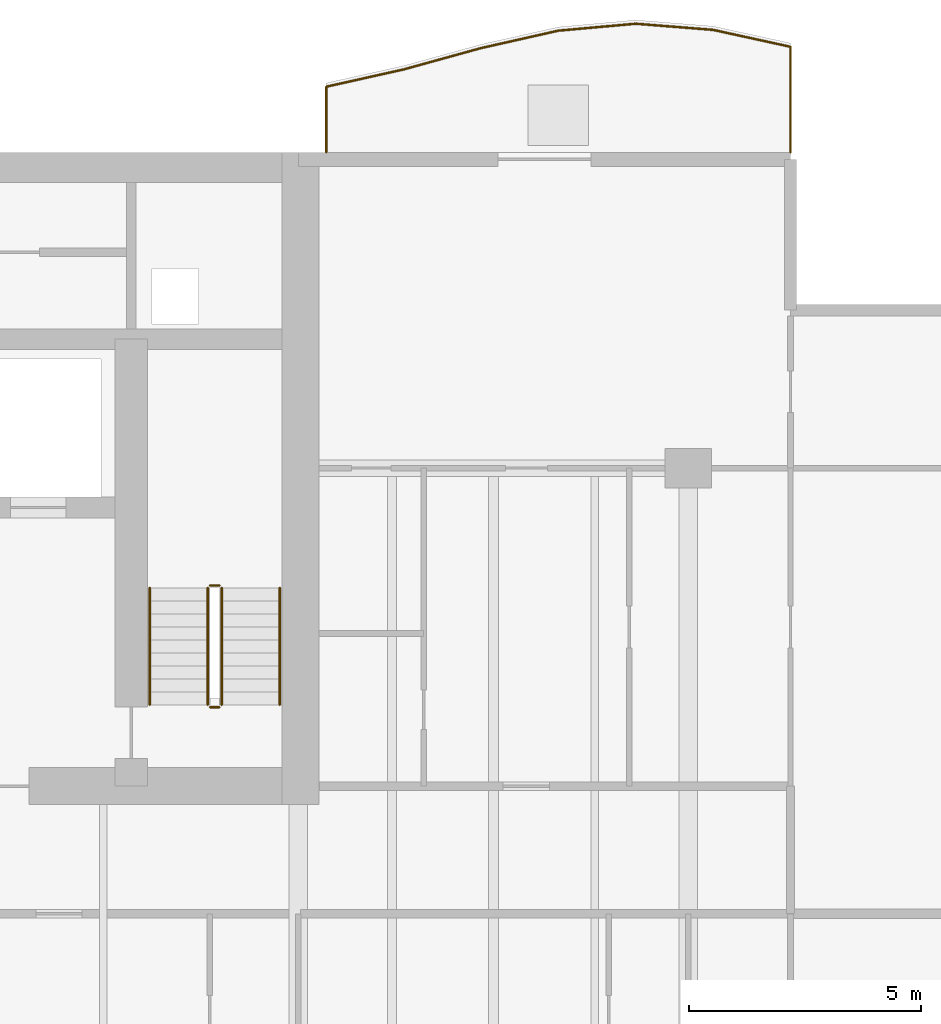
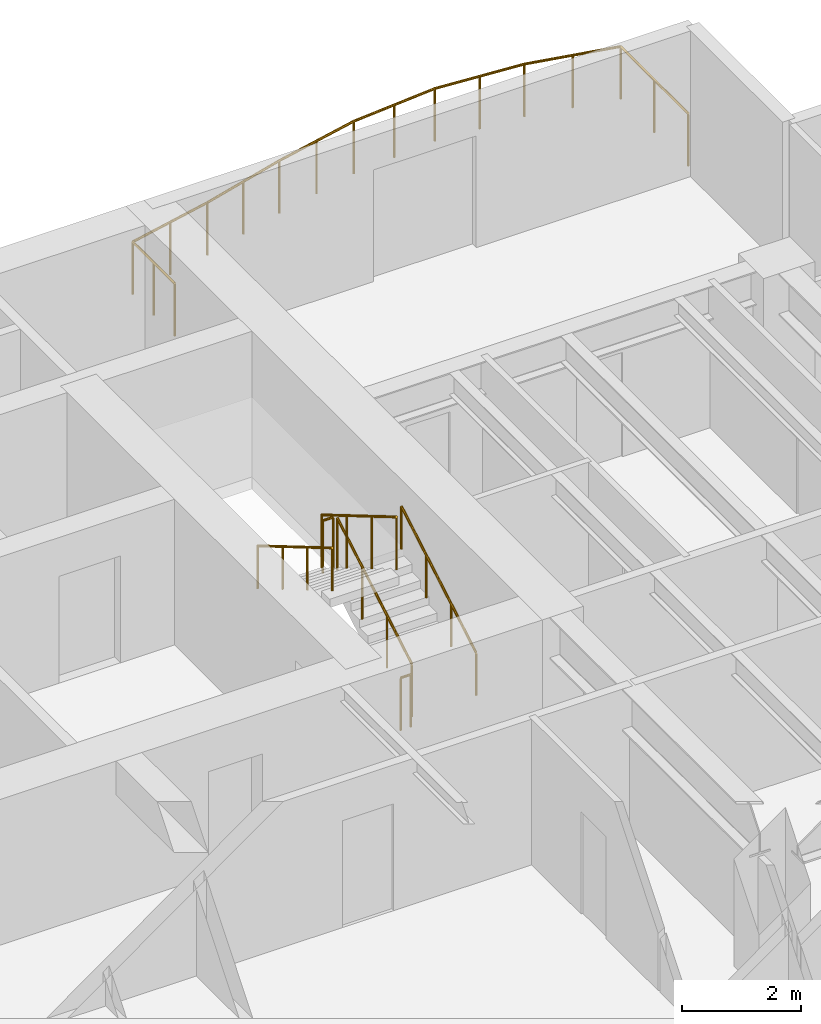
# One storey, part 15 of 16: 7 railings.
"""IFC4 building model written with IfcOpenShell, lengths in metres."""

import ifcopenshell
import ifcopenshell.guid

model = None  # the IFC model being written
_history = None  # IfcOwnerHistory: only IFC2X3 demands one
_inside = {}  # id of a spatial element -> (the spatial element, [elements in it])
_under = {}  # id of a project, library or spatial element -> (it, [spatial elements below it])
_declared = {}  # id of a project -> (the project, [libraries it declares])
_typed = {}  # id of a type object -> (the type object, [elements of that type])
_made_of = {}  # id of a material, layer set ... -> (it, [elements and type objects made of it])


def new_model(schema):
    """Start an empty IFC model of exactly this schema.

    Asked for "IFC4X3", IfcOpenShell would pick the latest addendum, in which some entities
    have other attributes; the version numbers below select the first issue.
    IFC2X3 requires an IfcOwnerHistory on every rooted entity: one is made here for all.
    """
    global model, _history
    if schema == "IFC4X3":
        model = ifcopenshell.file(schema_version=(4, 3, 0, 0))
    else:
        model = ifcopenshell.file(schema=schema)
    _inside.clear()
    _under.clear()
    _declared.clear()
    _typed.clear()
    _made_of.clear()
    _history = None
    if model.schema == "IFC2X3":
        org = make("IfcOrganization", Name="unknown")
        user = make(
            "IfcPersonAndOrganization",
            ThePerson=make("IfcPerson", FamilyName="unknown"),
            TheOrganization=org,
        )
        app = make(
            "IfcApplication",
            ApplicationDeveloper=org,
            Version="unknown",
            ApplicationFullName="unknown",
            ApplicationIdentifier="unknown",
        )
        _history = make(
            "IfcOwnerHistory",
            OwningUser=user,
            OwningApplication=app,
            ChangeAction="ADDED",
            CreationDate=0,
        )
    return model


def make(cls, **values):
    """One entity of the class cls with the attributes given. An attribute that is None is left unset."""
    return model.create_entity(
        cls, **{name: value for name, value in values.items() if value is not None}
    )


def rooted(cls, **values):
    """An entity with a GlobalId (a new one), such as an element, a storey or a relation."""
    return make(cls, GlobalId=ifcopenshell.guid.new(), OwnerHistory=_history, **values)


def si_unit(unit_type, name, prefix=None):
    """IfcSIUnit, for example si_unit("LENGTHUNIT", "METRE", prefix="MILLI")."""
    return make("IfcSIUnit", UnitType=unit_type, Prefix=prefix, Name=name)


def assignment(units):
    """IfcUnitAssignment: the units of a project."""
    return None if units is None else make("IfcUnitAssignment", Units=units)


def point(xyz):
    """IfcCartesianPoint."""
    return None if xyz is None else make("IfcCartesianPoint", Coordinates=xyz)


def direction(xyz):
    """IfcDirection."""
    return None if xyz is None else make("IfcDirection", DirectionRatios=xyz)


def frame(location, z_axis=None, x_axis=None):
    """IfcAxis2Placement3D, a coordinate frame: its origin and axes. An axis left out is left unset."""
    return make(
        "IfcAxis2Placement3D",
        Location=point(location),
        Axis=direction(z_axis),
        RefDirection=direction(x_axis),
    )


def frame_2d(location, x_axis=None):
    """IfcAxis2Placement2D, a coordinate frame in the plane: its origin and x axis."""
    return make(
        "IfcAxis2Placement2D", Location=point(location), RefDirection=direction(x_axis)
    )


def origin():
    """The frame at (0, 0, 0) with its axes left unset."""
    return frame((0.0, 0.0, 0.0))


def origin_2d():
    """The frame at (0, 0) in the plane with its x axis left unset."""
    return frame_2d((0.0, 0.0))


def place(relative_to, where):
    """IfcLocalPlacement: puts the frame where relative to a parent placement (None: the world)."""
    return make(
        "IfcLocalPlacement", PlacementRelTo=relative_to, RelativePlacement=where
    )


def context(
    kind, dimensions, precision=None, world=None, true_north=None, identifier=None
):
    """IfcGeometricRepresentationContext, for example the 3D "Model" context."""
    return make(
        "IfcGeometricRepresentationContext",
        ContextIdentifier=identifier,
        ContextType=kind,
        CoordinateSpaceDimension=dimensions,
        Precision=precision,
        WorldCoordinateSystem=world,
        TrueNorth=true_north,
    )


def subcontext(parent, identifier, kind, view, scale=None):
    """IfcGeometricRepresentationSubContext, for example "Body" below "Model"."""
    return make(
        "IfcGeometricRepresentationSubContext",
        ContextIdentifier=identifier,
        ContextType=kind,
        ParentContext=parent,
        TargetScale=scale,
        TargetView=view,
    )


def project(units=None, contexts=None):
    """IfcProject with its units and contexts."""
    return rooted(
        "IfcProject",
        Name="project",
        RepresentationContexts=contexts,
        UnitsInContext=assignment(units),
    )


def spatial(cls, under=None, at=None, **own):
    """A site, building, storey or space (cls), placed at a placement, below another one or the project."""
    s = rooted(cls, ObjectPlacement=at, **own)
    if under is not None:
        _under.setdefault(under.id(), (under, []))[1].append(s)
    return s


def profile(cls, at=None, kind="AREA", **sizes):
    """A parametric profile (cls). Its sizes go by their IFC names, for example OverallWidth=200.0."""
    return make(cls, ProfileType=kind, Position=at, **sizes)


def circle(**sizes):
    """IfcCircleProfileDef."""
    return profile("IfcCircleProfileDef", **sizes)


def extrude(swept, where, along, depth):
    """IfcExtrudedAreaSolid: the profile swept, set in the frame where, extruded along a direction by depth."""
    return make(
        "IfcExtrudedAreaSolid",
        SweptArea=swept,
        Position=where,
        ExtrudedDirection=direction(along),
        Depth=depth,
    )


def shape(context_of_items, identifier, shape_type, items):
    """IfcShapeRepresentation: the items that make up one representation, for example the "Body"."""
    return make(
        "IfcShapeRepresentation",
        ContextOfItems=context_of_items,
        RepresentationIdentifier=identifier,
        RepresentationType=shape_type,
        Items=items,
    )


def material(Name=None, Category=None):
    """IfcMaterial."""
    return make("IfcMaterial", Name=Name, Category=Category)


def made_of(thing, what):
    """Note that an element or type object is made of a material, layer set ...; save() writes the relation."""
    if what is not None:
        _made_of.setdefault(what.id(), (what, []))[1].append(thing)
    return thing


def type_object(cls, material=None, **own):
    """A type object (cls), such as IfcWallType, which elements share."""
    return made_of(rooted(cls, **own), material)


def element(
    cls,
    number,
    at=None,
    inside=None,
    cuts=None,
    type_object=None,
    material=None,
    context=None,
    identifier="Body",
    shape_type=None,
    held_by="IfcProductDefinitionShape",
    body=None,
    shapes=None,
    **own,
):
    """One element of the class cls, such as IfcWall. Its Tag is "e" and its number.

    at: its placement. inside: the storey or other place that contains it. cuts: it is an
    opening in that element (IfcRelVoidsElement). A single representation is given by context,
    identifier, shape_type and body (its items); several are given by shapes. held_by: the class
    of the entity that holds the representations. save() writes the other relations.
    """
    e = rooted(cls, Tag="e%d" % number, ObjectPlacement=at, **own)
    if body is not None:
        shapes = [shape(context, identifier, shape_type, body)]
    if shapes is not None:
        e.Representation = make(held_by, Representations=shapes)
    if inside is not None:
        _inside.setdefault(inside.id(), (inside, []))[1].append(e)
    if cuts is not None:
        rooted(
            "IfcRelVoidsElement", RelatingBuildingElement=cuts, RelatedOpeningElement=e
        )
    if type_object is not None:
        _typed.setdefault(type_object.id(), (type_object, []))[1].append(e)
    return made_of(e, material)


def aggregate(whole, parts):
    """IfcRelAggregates: a whole, such as a stair, and the parts it consists of."""
    return rooted("IfcRelAggregates", RelatingObject=whole, RelatedObjects=parts)


def save(model, path):
    """Write the relations noted so far, then the file.

    IfcRelAggregates (storeys below a building ...), IfcRelContainedInSpatialStructure (elements
    in a storey), IfcRelDefinesByType, IfcRelAssociatesMaterial and IfcRelDeclares: one each for
    every whole, place, type object, material and project.
    """
    for whole, parts in _under.values():
        aggregate(whole, parts)
    for where, things in _inside.values():
        rooted(
            "IfcRelContainedInSpatialStructure",
            RelatedElements=things,
            RelatingStructure=where,
        )
    for kind, things in _typed.values():
        rooted("IfcRelDefinesByType", RelatedObjects=things, RelatingType=kind)
    for what, things in _made_of.values():
        rooted("IfcRelAssociatesMaterial", RelatedObjects=things, RelatingMaterial=what)
    for by, libraries in _declared.values():
        rooted("IfcRelDeclares", RelatingContext=by, RelatedDefinitions=libraries)
    model.write(path)


model = new_model("IFC4")

# Units and contexts
model_context = context("Model", 3, precision=1e-05, world=origin(), true_north=direction((0.0, 1.0)))
body_context = subcontext(model_context, "Body", "Model", "MODEL_VIEW")
ifc_project = project(units=[si_unit("LENGTHUNIT", "METRE"), si_unit("AREAUNIT", "SQUARE_METRE"), si_unit("VOLUMEUNIT", "CUBIC_METRE"), si_unit("PLANEANGLEUNIT", "RADIAN"), si_unit("MASSUNIT", "GRAM", prefix="KILO")], contexts=[model_context])

# Site, building, storey
site_placement = place(None, origin())
site = spatial("IfcSite", under=ifc_project, at=site_placement, CompositionType="ELEMENT")
building_placement = place(site_placement, origin())
building = spatial("IfcBuilding", under=site, at=building_placement, Name="Caelmar Bay Residences", CompositionType="ELEMENT")
storey_placement = place(building_placement, frame((0.0, 0.0, 148.800048828125)))
storey = spatial("IfcBuildingStorey", under=building, at=storey_placement, Name="L41", CompositionType="ELEMENT", Elevation=148.800048828125)

# Railings
ifc_material_1 = material(Name="Anodised bronze handrail with laminated hurricane glass infill", Category="glass")
railing_type_1 = type_object("IfcRailingType", Name="RL-BAL-1100", PredefinedType="BALUSTRADE", material=ifc_material_1)
railing_1_placement = place(storey_placement, frame((70.10009765625, 50.60009765625, 0.0)))
element("IfcRailing", 1, at=railing_1_placement, inside=storey, type_object=railing_type_1, Name="L41 north_east Balcony Balustrade", PredefinedType="BALUSTRADE", context=body_context, shape_type="SweptSolid", body=[
    extrude(circle(Radius=0.02392578125, at=origin_2d()), frame((0.0, 0.0, 1.076171875), z_axis=(0.0, 1.0, 0.0), x_axis=(-1.0, 0.0, 0.0)), (0.0, 0.0, 1.0), 2.27294921875),
    extrude(circle(Radius=0.02392578125, at=origin_2d()), frame((0.0, 2.27294921875, 1.076171875), z_axis=(-0.976912151589, 0.213641400663, 0.0), x_axis=(-0.213641400663, -0.976912151589, 0.0)), (0.0, 0.0, 1.0), 1.7060546875),
    extrude(circle(Radius=0.02392578125, at=origin_2d()), frame((-1.666748046875, 2.637451171875, 1.076171875), z_axis=(-0.996863381494, 0.079141636556, 0.0), x_axis=(-0.079141636556, -0.996863381494, 0.0)), (0.0, 0.0, 1.0), 1.671875),
    extrude(circle(Radius=0.02392578125, at=origin_2d()), frame((-3.33349609375, 2.769775390625, 1.076171875), z_axis=(-0.995991875495, -0.089443747389, 0.0), x_axis=(0.089443747389, -0.995991875495, 0.0)), (0.0, 0.0, 1.0), 1.673095703125),
    extrude(circle(Radius=0.02392578125, at=origin_2d()), frame((-5.0, 2.6201171875, 1.076171875), z_axis=(-0.975520165928, -0.219909994926, 0.0), x_axis=(0.219909994926, -0.975520165928, 0.0)), (0.0, 0.0, 1.0), 1.70849609375),
    extrude(circle(Radius=0.02392578125, at=origin_2d()), frame((-6.666748046875, 2.244384765625, 1.076171875), z_axis=(-0.964003851304, -0.265888274792, 0.0), x_axis=(0.265888274792, -0.964003851304, 0.0)), (0.0, 0.0, 1.0), 1.72900390625),
    extrude(circle(Radius=0.02392578125, at=origin_2d()), frame((-8.33349609375, 1.78466796875, 1.076171875), z_axis=(-0.976032048917, -0.217626835402, 0.0), x_axis=(0.217626835402, -0.976032048917, 0.0)), (0.0, 0.0, 1.0), 1.70751953125),
    extrude(circle(Radius=0.02392578125, at=origin_2d()), frame((-10.0, 1.4130859375, 1.076171875), z_axis=(0.0, -1.0, 0.0), x_axis=(1.0, 0.0, 0.0)), (0.0, 0.0, 1.0), 1.4130859375),
    extrude(circle(Radius=0.02099609375, at=origin_2d()), origin(), (0.0, 0.0, 1.0), 1.052001953125),
    extrude(circle(Radius=0.02099609375, at=origin_2d()), frame((0.0, 1.136474609375, 0.0)), (0.0, 0.0, 1.0), 1.052001953125),
    extrude(circle(Radius=0.02099609375, at=origin_2d()), frame((0.0, 2.27294921875, 0.0)), (0.0, 0.0, 1.0), 1.052001953125),
    extrude(circle(Radius=0.02099609375, at=origin_2d()), frame((-0.83349609375, 2.455078125, 0.0)), (0.0, 0.0, 1.0), 1.052001953125),
    extrude(circle(Radius=0.02099609375, at=origin_2d()), frame((-1.666748046875, 2.637451171875, 0.0)), (0.0, 0.0, 1.0), 1.052001953125),
    extrude(circle(Radius=0.02099609375, at=origin_2d()), frame((-2.5, 2.70361328125, 0.0)), (0.0, 0.0, 1.0), 1.052001953125),
    extrude(circle(Radius=0.02099609375, at=origin_2d()), frame((-3.33349609375, 2.769775390625, 0.0)), (0.0, 0.0, 1.0), 1.052001953125),
    extrude(circle(Radius=0.02099609375, at=origin_2d()), frame((-4.166748046875, 2.69482421875, 0.0)), (0.0, 0.0, 1.0), 1.052001953125),
    extrude(circle(Radius=0.02099609375, at=origin_2d()), frame((-5.0, 2.6201171875, 0.0)), (0.0, 0.0, 1.0), 1.052001953125),
    extrude(circle(Radius=0.02099609375, at=origin_2d()), frame((-5.83349609375, 2.43212890625, 0.0)), (0.0, 0.0, 1.0), 1.052001953125),
    extrude(circle(Radius=0.02099609375, at=origin_2d()), frame((-6.666748046875, 2.244384765625, 0.0)), (0.0, 0.0, 1.0), 1.052001953125),
    extrude(circle(Radius=0.02099609375, at=origin_2d()), frame((-7.5, 2.0146484375, 0.0)), (0.0, 0.0, 1.0), 1.052001953125),
    extrude(circle(Radius=0.02099609375, at=origin_2d()), frame((-8.33349609375, 1.78466796875, 0.0)), (0.0, 0.0, 1.0), 1.052001953125),
    extrude(circle(Radius=0.02099609375, at=origin_2d()), frame((-9.166748046875, 1.598876953125, 0.0)), (0.0, 0.0, 1.0), 1.052001953125),
    extrude(circle(Radius=0.02099609375, at=origin_2d()), frame((-10.0, 1.4130859375, 0.0)), (0.0, 0.0, 1.0), 1.052001953125),
    extrude(circle(Radius=0.02099609375, at=origin_2d()), frame((-10.0, 0.70654296875, 0.0)), (0.0, 0.0, 1.0), 1.052001953125),
    extrude(circle(Radius=0.02099609375, at=origin_2d()), frame((-10.0, 0.0, 0.0)), (0.0, 0.0, 1.0), 1.052001953125),
])
ifc_material_2 = material(Name="Painted galvanized steel stair guard 1100 mm", Category="steel")
railing_type_2 = type_object("IfcRailingType", Name="RL-GRD-1100", PredefinedType="GUARDRAIL", material=ifc_material_2)
railing_2_placement = place(storey_placement, frame((57.85009765625, 38.699951171875, 0.1650390625)))
element("IfcRailing", 2, at=railing_2_placement, inside=storey, type_object=railing_type_2, Name="L41 ST2 stair guard 1", PredefinedType="GUARDRAIL", context=body_context, shape_type="SweptSolid", body=[
    extrude(circle(Radius=0.02392578125, at=origin_2d()), frame((0.0, 0.0, 1.076171875), z_axis=(0.0, 0.861560626758, 0.507654692109), x_axis=(-1.0, 0.0, 0.0)), (0.0, 0.0, 1.0), 2.925048828125),
    extrude(circle(Radius=0.02099609375, at=origin_2d()), origin(), (0.0, 0.0, 1.0), 1.052001953125),
    extrude(circle(Radius=0.02099609375, at=origin_2d()), frame((0.0, 0.840087890625, 0.494873046875)), (0.0, 0.0, 1.0), 1.052001953125),
    extrude(circle(Radius=0.02099609375, at=origin_2d()), frame((0.0, 1.679931640625, 0.989990234375)), (0.0, 0.0, 1.0), 1.052001953125),
    extrude(circle(Radius=0.02099609375, at=origin_2d()), frame((0.0, 2.52001953125, 1.48486328125)), (0.0, 0.0, 1.0), 1.052001953125),
])
railing_3_placement = place(storey_placement, frame((57.800048828125, 41.27001953125, 1.64990234375)))
element("IfcRailing", 3, at=railing_3_placement, inside=storey, type_object=railing_type_2, Name="L41 ST2 stair guard 2", PredefinedType="GUARDRAIL", context=body_context, shape_type="SweptSolid", body=[
    extrude(circle(Radius=0.02392578125, at=origin_2d()), frame((0.0, 0.0, 1.076171875), z_axis=(-1.0, 0.0, 0.0), x_axis=(0.0, -1.0, 0.0)), (0.0, 0.0, 1.0), 0.199951171875),
    extrude(circle(Radius=0.02099609375, at=origin_2d()), origin(), (0.0, 0.0, 1.0), 1.052001953125),
    extrude(circle(Radius=0.02099609375, at=origin_2d()), frame((-0.199951171875, 0.0, 0.0)), (0.0, 0.0, 1.0), 1.052001953125),
])
railing_4_placement = place(storey_placement, frame((57.550048828125, 41.219970703125, 1.81494140625)))
element("IfcRailing", 4, at=railing_4_placement, inside=storey, type_object=railing_type_2, Name="L41 ST2 stair guard 3", PredefinedType="GUARDRAIL", context=body_context, shape_type="SweptSolid", body=[
    extrude(circle(Radius=0.02392578125, at=origin_2d()), frame((0.0, 0.0, 1.076171875), z_axis=(0.0, -0.86152411907, 0.507716645641), x_axis=(1.0, 0.0, 0.0)), (0.0, 0.0, 1.0), 2.925048828125),
    extrude(circle(Radius=0.02099609375, at=origin_2d()), origin(), (0.0, 0.0, 1.0), 1.052001953125),
    extrude(circle(Radius=0.02099609375, at=origin_2d()), frame((0.0, -0.840087890625, 0.4951171875)), (0.0, 0.0, 1.0), 1.052001953125),
    extrude(circle(Radius=0.02099609375, at=origin_2d()), frame((0.0, -1.679931640625, 0.989990234375)), (0.0, 0.0, 1.0), 1.052001953125),
    extrude(circle(Radius=0.02099609375, at=origin_2d()), frame((0.0, -2.52001953125, 1.485107421875)), (0.0, 0.0, 1.0), 1.052001953125),
])
railing_5_placement = place(storey_placement, frame((57.800048828125, 38.64990234375, 0.0)))
element("IfcRailing", 5, at=railing_5_placement, inside=storey, type_object=railing_type_2, Name="L41 ST2 stair guard 4", PredefinedType="GUARDRAIL", context=body_context, shape_type="SweptSolid", body=[
    extrude(circle(Radius=0.02392578125, at=origin_2d()), frame((0.0, 0.0, 1.076171875), z_axis=(-1.0, 0.0, 0.0), x_axis=(0.0, -1.0, 0.0)), (0.0, 0.0, 1.0), 0.199951171875),
    extrude(circle(Radius=0.02099609375, at=origin_2d()), origin(), (0.0, 0.0, 1.0), 1.052001953125),
    extrude(circle(Radius=0.02099609375, at=origin_2d()), frame((-0.199951171875, 0.0, 0.0)), (0.0, 0.0, 1.0), 1.052001953125),
])
ifc_material_3 = material(Name="Brushed bronze stainless-steel tubular handrail 900 mm", Category="steel")
railing_type_3 = type_object("IfcRailingType", Name="RL-HND-900", PredefinedType="HANDRAIL", material=ifc_material_3)
railing_6_placement = place(storey_placement, frame((59.10009765625, 38.699951171875, 0.1650390625)))
element("IfcRailing", 6, at=railing_6_placement, inside=storey, type_object=railing_type_3, Name="L41 ST2 stair handrail 1", PredefinedType="HANDRAIL", context=body_context, shape_type="SweptSolid", body=[
    extrude(circle(Radius=0.02392578125, at=origin_2d()), frame((0.0, 0.0, 0.8759765625), z_axis=(0.0, 0.861560626758, 0.507654692109), x_axis=(-1.0, 0.0, 0.0)), (0.0, 0.0, 1.0), 2.925048828125),
    extrude(circle(Radius=0.02099609375, at=origin_2d()), origin(), (0.0, 0.0, 1.0), 0.851806640625),
    extrude(circle(Radius=0.02099609375, at=origin_2d()), frame((0.0, 0.840087890625, 0.494873046875)), (0.0, 0.0, 1.0), 0.851806640625),
    extrude(circle(Radius=0.02099609375, at=origin_2d()), frame((0.0, 1.679931640625, 0.989990234375)), (0.0, 0.0, 1.0), 0.851806640625),
    extrude(circle(Radius=0.02099609375, at=origin_2d()), frame((0.0, 2.52001953125, 1.48486328125)), (0.0, 0.0, 1.0), 0.851806640625),
])
railing_7_placement = place(storey_placement, frame((56.300048828125, 41.219970703125, 1.81494140625)))
element("IfcRailing", 7, at=railing_7_placement, inside=storey, type_object=railing_type_3, Name="L41 ST2 stair handrail 2", PredefinedType="HANDRAIL", context=body_context, shape_type="SweptSolid", body=[
    extrude(circle(Radius=0.02392578125, at=origin_2d()), frame((0.0, 0.0, 0.8759765625), z_axis=(0.0, -0.86152411907, 0.507716645641), x_axis=(1.0, 0.0, 0.0)), (0.0, 0.0, 1.0), 2.925048828125),
    extrude(circle(Radius=0.02099609375, at=origin_2d()), origin(), (0.0, 0.0, 1.0), 0.851806640625),
    extrude(circle(Radius=0.02099609375, at=origin_2d()), frame((0.0, -0.840087890625, 0.4951171875)), (0.0, 0.0, 1.0), 0.851806640625),
    extrude(circle(Radius=0.02099609375, at=origin_2d()), frame((0.0, -1.679931640625, 0.989990234375)), (0.0, 0.0, 1.0), 0.851806640625),
    extrude(circle(Radius=0.02099609375, at=origin_2d()), frame((0.0, -2.52001953125, 1.485107421875)), (0.0, 0.0, 1.0), 0.851806640625),
])

save(model, "model.ifc")
